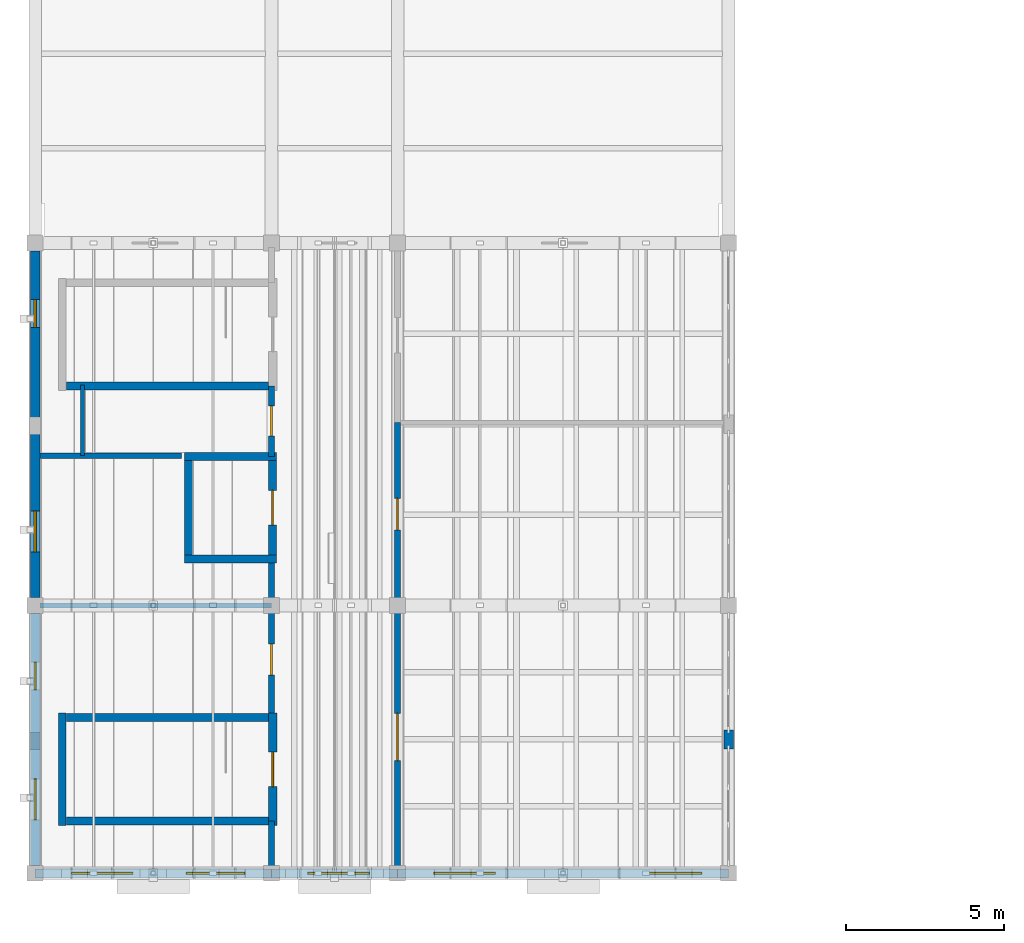
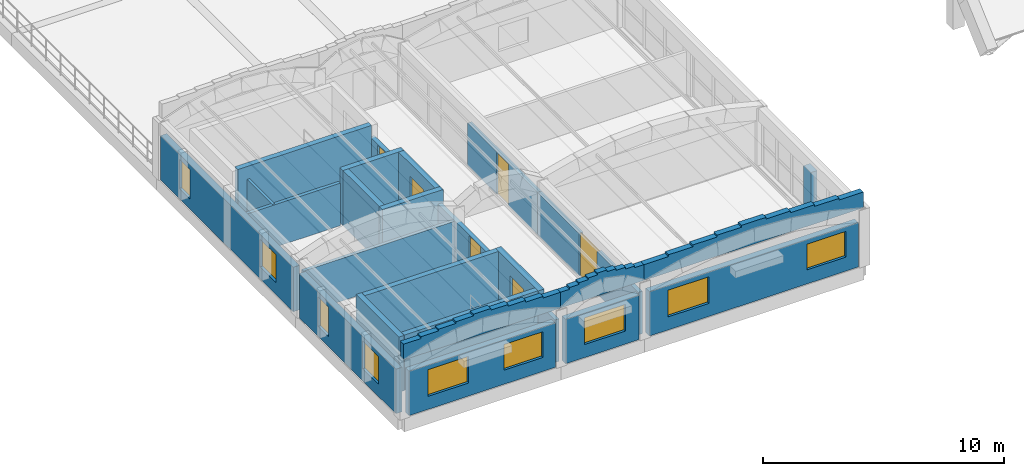
# One storey, part 28 of 40: 26 walls, 9 windows, 6 doors, 15 openings.
"""IFC4 building model written with IfcOpenShell, lengths in metres."""

import ifcopenshell
import ifcopenshell.guid

model = None  # the IFC model being written
_history = None  # IfcOwnerHistory: only IFC2X3 demands one
_inside = {}  # id of a spatial element -> (the spatial element, [elements in it])
_under = {}  # id of a project, library or spatial element -> (it, [spatial elements below it])
_declared = {}  # id of a project -> (the project, [libraries it declares])
_typed = {}  # id of a type object -> (the type object, [elements of that type])
_made_of = {}  # id of a material, layer set ... -> (it, [elements and type objects made of it])


def new_model(schema):
    """Start an empty IFC model of exactly this schema.

    Asked for "IFC4X3", IfcOpenShell would pick the latest addendum, in which some entities
    have other attributes; the version numbers below select the first issue.
    IFC2X3 requires an IfcOwnerHistory on every rooted entity: one is made here for all.
    """
    global model, _history
    if schema == "IFC4X3":
        model = ifcopenshell.file(schema_version=(4, 3, 0, 0))
    else:
        model = ifcopenshell.file(schema=schema)
    _inside.clear()
    _under.clear()
    _declared.clear()
    _typed.clear()
    _made_of.clear()
    _history = None
    if model.schema == "IFC2X3":
        org = make("IfcOrganization", Name="unknown")
        user = make(
            "IfcPersonAndOrganization",
            ThePerson=make("IfcPerson", FamilyName="unknown"),
            TheOrganization=org,
        )
        app = make(
            "IfcApplication",
            ApplicationDeveloper=org,
            Version="unknown",
            ApplicationFullName="unknown",
            ApplicationIdentifier="unknown",
        )
        _history = make(
            "IfcOwnerHistory",
            OwningUser=user,
            OwningApplication=app,
            ChangeAction="ADDED",
            CreationDate=0,
        )
    return model


def make(cls, **values):
    """One entity of the class cls with the attributes given. An attribute that is None is left unset."""
    return model.create_entity(
        cls, **{name: value for name, value in values.items() if value is not None}
    )


def rooted(cls, **values):
    """An entity with a GlobalId (a new one), such as an element, a storey or a relation."""
    return make(cls, GlobalId=ifcopenshell.guid.new(), OwnerHistory=_history, **values)


def si_unit(unit_type, name, prefix=None):
    """IfcSIUnit, for example si_unit("LENGTHUNIT", "METRE", prefix="MILLI")."""
    return make("IfcSIUnit", UnitType=unit_type, Prefix=prefix, Name=name)


def assignment(units):
    """IfcUnitAssignment: the units of a project."""
    return None if units is None else make("IfcUnitAssignment", Units=units)


def point(xyz):
    """IfcCartesianPoint."""
    return None if xyz is None else make("IfcCartesianPoint", Coordinates=xyz)


def direction(xyz):
    """IfcDirection."""
    return None if xyz is None else make("IfcDirection", DirectionRatios=xyz)


def frame(location, z_axis=None, x_axis=None):
    """IfcAxis2Placement3D, a coordinate frame: its origin and axes. An axis left out is left unset."""
    return make(
        "IfcAxis2Placement3D",
        Location=point(location),
        Axis=direction(z_axis),
        RefDirection=direction(x_axis),
    )


def frame_2d(location, x_axis=None):
    """IfcAxis2Placement2D, a coordinate frame in the plane: its origin and x axis."""
    return make(
        "IfcAxis2Placement2D", Location=point(location), RefDirection=direction(x_axis)
    )


def origin():
    """The frame at (0, 0, 0) with its axes left unset."""
    return frame((0.0, 0.0, 0.0))


def place(relative_to, where):
    """IfcLocalPlacement: puts the frame where relative to a parent placement (None: the world)."""
    return make(
        "IfcLocalPlacement", PlacementRelTo=relative_to, RelativePlacement=where
    )


def context(
    kind, dimensions, precision=None, world=None, true_north=None, identifier=None
):
    """IfcGeometricRepresentationContext, for example the 3D "Model" context."""
    return make(
        "IfcGeometricRepresentationContext",
        ContextIdentifier=identifier,
        ContextType=kind,
        CoordinateSpaceDimension=dimensions,
        Precision=precision,
        WorldCoordinateSystem=world,
        TrueNorth=true_north,
    )


def subcontext(parent, identifier, kind, view, scale=None):
    """IfcGeometricRepresentationSubContext, for example "Body" below "Model"."""
    return make(
        "IfcGeometricRepresentationSubContext",
        ContextIdentifier=identifier,
        ContextType=kind,
        ParentContext=parent,
        TargetScale=scale,
        TargetView=view,
    )


def project(units=None, contexts=None):
    """IfcProject with its units and contexts."""
    return rooted(
        "IfcProject",
        Name="project",
        RepresentationContexts=contexts,
        UnitsInContext=assignment(units),
    )


def spatial(cls, under=None, at=None, **own):
    """A site, building, storey or space (cls), placed at a placement, below another one or the project."""
    s = rooted(cls, ObjectPlacement=at, **own)
    if under is not None:
        _under.setdefault(under.id(), (under, []))[1].append(s)
    return s


def polyline(points):
    """IfcPolyline through the points."""
    return make("IfcPolyline", Points=[point(p) for p in points])


def profile(cls, at=None, kind="AREA", **sizes):
    """A parametric profile (cls). Its sizes go by their IFC names, for example OverallWidth=200.0."""
    return make(cls, ProfileType=kind, Position=at, **sizes)


def rectangle(**sizes):
    """IfcRectangleProfileDef."""
    return profile("IfcRectangleProfileDef", **sizes)


def outline(outer, holes=None, kind="AREA"):
    """IfcArbitraryClosedProfileDef: a profile drawn as a closed curve; with holes, ...WithVoids."""
    if holes is None:
        return make("IfcArbitraryClosedProfileDef", ProfileType=kind, OuterCurve=outer)
    return make(
        "IfcArbitraryProfileDefWithVoids",
        ProfileType=kind,
        OuterCurve=outer,
        InnerCurves=holes,
    )


def extrude(swept, where, along, depth):
    """IfcExtrudedAreaSolid: the profile swept, set in the frame where, extruded along a direction by depth."""
    return make(
        "IfcExtrudedAreaSolid",
        SweptArea=swept,
        Position=where,
        ExtrudedDirection=direction(along),
        Depth=depth,
    )


def shape(context_of_items, identifier, shape_type, items):
    """IfcShapeRepresentation: the items that make up one representation, for example the "Body"."""
    return make(
        "IfcShapeRepresentation",
        ContextOfItems=context_of_items,
        RepresentationIdentifier=identifier,
        RepresentationType=shape_type,
        Items=items,
    )


def material(Name=None, Category=None):
    """IfcMaterial."""
    return make("IfcMaterial", Name=Name, Category=Category)


def layer(
    of_material, thickness, ventilated=None, Name=None, Category=None, Priority=None
):
    """IfcMaterialLayer: one layer of a wall or slab, of a material (None: an air gap)."""
    return make(
        "IfcMaterialLayer",
        Material=of_material,
        LayerThickness=thickness,
        IsVentilated=ventilated,
        Name=Name,
        Category=Category,
        Priority=Priority,
    )


def layer_set(layers, Name=None):
    """IfcMaterialLayerSet."""
    return make("IfcMaterialLayerSet", MaterialLayers=layers, LayerSetName=Name)


def made_of(thing, what):
    """Note that an element or type object is made of a material, layer set ...; save() writes the relation."""
    if what is not None:
        _made_of.setdefault(what.id(), (what, []))[1].append(thing)
    return thing


def type_object(cls, material=None, **own):
    """A type object (cls), such as IfcWallType, which elements share."""
    return made_of(rooted(cls, **own), material)


def element(
    cls,
    number,
    at=None,
    inside=None,
    cuts=None,
    type_object=None,
    material=None,
    context=None,
    identifier="Body",
    shape_type=None,
    held_by="IfcProductDefinitionShape",
    body=None,
    shapes=None,
    **own,
):
    """One element of the class cls, such as IfcWall. Its Tag is "e" and its number.

    at: its placement. inside: the storey or other place that contains it. cuts: it is an
    opening in that element (IfcRelVoidsElement). A single representation is given by context,
    identifier, shape_type and body (its items); several are given by shapes. held_by: the class
    of the entity that holds the representations. save() writes the other relations.
    """
    e = rooted(cls, Tag="e%d" % number, ObjectPlacement=at, **own)
    if body is not None:
        shapes = [shape(context, identifier, shape_type, body)]
    if shapes is not None:
        e.Representation = make(held_by, Representations=shapes)
    if inside is not None:
        _inside.setdefault(inside.id(), (inside, []))[1].append(e)
    if cuts is not None:
        rooted(
            "IfcRelVoidsElement", RelatingBuildingElement=cuts, RelatedOpeningElement=e
        )
    if type_object is not None:
        _typed.setdefault(type_object.id(), (type_object, []))[1].append(e)
    return made_of(e, material)


def fill(opening, filler):
    """IfcRelFillsElement: the door or window that sits in an opening."""
    return rooted(
        "IfcRelFillsElement",
        RelatingOpeningElement=opening,
        RelatedBuildingElement=filler,
    )


def aggregate(whole, parts):
    """IfcRelAggregates: a whole, such as a stair, and the parts it consists of."""
    return rooted("IfcRelAggregates", RelatingObject=whole, RelatedObjects=parts)


def save(model, path):
    """Write the relations noted so far, then the file.

    IfcRelAggregates (storeys below a building ...), IfcRelContainedInSpatialStructure (elements
    in a storey), IfcRelDefinesByType, IfcRelAssociatesMaterial and IfcRelDeclares: one each for
    every whole, place, type object, material and project.
    """
    for whole, parts in _under.values():
        aggregate(whole, parts)
    for where, things in _inside.values():
        rooted(
            "IfcRelContainedInSpatialStructure",
            RelatedElements=things,
            RelatingStructure=where,
        )
    for kind, things in _typed.values():
        rooted("IfcRelDefinesByType", RelatedObjects=things, RelatingType=kind)
    for what, things in _made_of.values():
        rooted("IfcRelAssociatesMaterial", RelatedObjects=things, RelatingMaterial=what)
    for by, libraries in _declared.values():
        rooted("IfcRelDeclares", RelatingContext=by, RelatedDefinitions=libraries)
    model.write(path)


model = new_model("IFC4")

# Units and contexts
model_context = context("Model", 3, precision=1e-05, world=origin(), true_north=direction((0.0, 1.0)))
body_context = subcontext(model_context, "Body", "Model", "MODEL_VIEW")
ifc_project = project(units=[si_unit("LENGTHUNIT", "METRE"), si_unit("AREAUNIT", "SQUARE_METRE"), si_unit("VOLUMEUNIT", "CUBIC_METRE"), si_unit("PLANEANGLEUNIT", "RADIAN"), si_unit("MASSUNIT", "GRAM", prefix="KILO")], contexts=[model_context])

# Site, building, storey
site_placement = place(None, origin())
site = spatial("IfcSite", under=ifc_project, at=site_placement, CompositionType="ELEMENT")
building_placement = place(site_placement, origin())
building = spatial("IfcBuilding", under=site, at=building_placement, Name="Trellovar Central Fire Station", CompositionType="ELEMENT")
storey_placement = place(building_placement, frame((0.0, 0.0, 12.75)))
storey = spatial("IfcBuildingStorey", under=building, at=storey_placement, Name="L04", CompositionType="ELEMENT", Elevation=12.75)

# Wall, openings, windows
ifc_material_1 = material(Name="Glazed ceramic trencadis and terracotta panel", Category="masonry")
ifc_layer_1 = layer(ifc_material_1, 0.300048828125)
ifc_layer_set_1 = layer_set([ifc_layer_1], Name="Glazed ceramic trencadis and terracotta panel")
wall_type_1 = type_object("IfcWallType", Name="EW-4", PredefinedType="STANDARD", material=ifc_layer_set_1)
wall_1_placement = place(storey_placement, frame((1.25, 9.0, 0.0), z_axis=(0.0, 0.0, 1.0), x_axis=(1.0, 0.0, 0.0)))
wall_1 = element("IfcWall", 1, at=wall_1_placement, inside=storey, type_object=wall_type_1, Name="V4 L04 south wall 1", PredefinedType="STANDARD", context=body_context, shape_type="SweptSolid", body=[
    extrude(rectangle(XDim=7.0, YDim=0.300048828125, at=frame_2d((3.5, 0.0))), origin(), (0.0, 0.0, 1.0), 2.25),
])
opening_1_placement = place(wall_1_placement, frame((0.89990234375, 0.0, 0.659912109375)))
opening_1 = element("IfcOpeningElement", 2, at=opening_1_placement, cuts=wall_1, Name="Opening W-04", PredefinedType="OPENING", context=body_context, shape_type="SweptSolid", body=[
    extrude(rectangle(XDim=1.949951171875, YDim=1.35009765625, at=frame_2d((0.97509765625, 0.675048828125))), frame((0.0, 0.159912109375, 0.0), z_axis=(0.0, -1.0, 0.0), x_axis=(1.0, 0.0, 0.0)), (0.0, 0.0, 1.0), 0.320068359375),
])
opening_2_placement = place(wall_1_placement, frame((4.550048828125, 0.0, 0.7099609375)))
opening_2 = element("IfcOpeningElement", 3, at=opening_2_placement, cuts=wall_1, Name="Opening W-13", PredefinedType="OPENING", context=body_context, shape_type="SweptSolid", body=[
    extrude(rectangle(XDim=1.85009765625, YDim=1.300048828125, at=frame_2d((0.925048828125, 0.64990234375))), frame((0.0, 0.159912109375, 0.0), z_axis=(0.0, -1.0, 0.0), x_axis=(1.0, 0.0, 0.0)), (0.0, 0.0, 1.0), 0.320068359375),
])
ifc_material_2 = material(Name="Thermally broken bronze anodized aluminum", Category="aluminium")
window_type_1 = type_object("IfcWindowType", Name="WIN-04", PartitioningType="DOUBLE_PANEL_HORIZONTAL", PredefinedType="WINDOW", material=ifc_material_2)
window_1_placement = place(opening_1_placement, origin())
window_1 = element("IfcWindow", 4, at=window_1_placement, inside=storey, type_object=window_type_1, Name="L04 window W-04", OverallHeight=1.35009765625, OverallWidth=1.949951171875, PartitioningType="DOUBLE_PANEL_HORIZONTAL", PredefinedType="WINDOW", context=body_context, shape_type="SweptSolid", body=[
    extrude(rectangle(XDim=1.949951171875, YDim=1.35009765625, at=frame_2d((0.97509765625, 0.675048828125))), frame((0.0, 0.030029296875, 0.0), z_axis=(0.0, -1.0, 0.0), x_axis=(1.0, 0.0, 0.0)), (0.0, 0.0, 1.0), 0.06005859375),
])
fill(opening_1, window_1)
ifc_material_3 = material(Name="Thermally broken bronze anodized aluminum", Category="aluminium")
window_type_2 = type_object("IfcWindowType", Name="WIN-13", PartitioningType="DOUBLE_PANEL_HORIZONTAL", PredefinedType="WINDOW", material=ifc_material_3)
window_2_placement = place(opening_2_placement, origin())
window_2 = element("IfcWindow", 5, at=window_2_placement, inside=storey, type_object=window_type_2, Name="L04 window W-13", OverallHeight=1.300048828125, OverallWidth=1.85009765625, PartitioningType="DOUBLE_PANEL_HORIZONTAL", PredefinedType="WINDOW", context=body_context, shape_type="SweptSolid", body=[
    extrude(rectangle(XDim=1.85009765625, YDim=1.300048828125, at=frame_2d((0.925048828125, 0.64990234375))), frame((0.0, 0.030029296875, 0.0), z_axis=(0.0, -1.0, 0.0), x_axis=(1.0, 0.0, 0.0)), (0.0, 0.0, 1.0), 0.06005859375),
])
fill(opening_2, window_2)

# Wall, opening, window
wall_2_placement = place(storey_placement, frame((8.75, 9.0, 0.0), z_axis=(0.0, 0.0, 1.0), x_axis=(1.0, 0.0, 0.0)))
wall_2 = element("IfcWall", 6, at=wall_2_placement, inside=storey, type_object=wall_type_1, Name="V4 L04 south wall 2", PredefinedType="STANDARD", context=body_context, shape_type="SweptSolid", body=[
    extrude(rectangle(XDim=3.5, YDim=0.300048828125, at=frame_2d((1.75, 0.0))), origin(), (0.0, 0.0, 1.0), 2.25),
])
opening_3_placement = place(wall_2_placement, frame((0.89990234375, 0.0, 0.659912109375)))
opening_3 = element("IfcOpeningElement", 7, at=opening_3_placement, cuts=wall_2, Name="Opening W-04", PredefinedType="OPENING", context=body_context, shape_type="SweptSolid", body=[
    extrude(rectangle(XDim=1.949951171875, YDim=1.35009765625, at=frame_2d((0.97509765625, 0.675048828125))), frame((0.0, 0.159912109375, 0.0), z_axis=(0.0, -1.0, 0.0), x_axis=(1.0, 0.0, 0.0)), (0.0, 0.0, 1.0), 0.320068359375),
])
window_3_placement = place(opening_3_placement, origin())
window_3 = element("IfcWindow", 8, at=window_3_placement, inside=storey, type_object=window_type_1, Name="L04 window W-04", OverallHeight=1.35009765625, OverallWidth=1.949951171875, PartitioningType="DOUBLE_PANEL_HORIZONTAL", PredefinedType="WINDOW", context=body_context, shape_type="SweptSolid", body=[
    extrude(rectangle(XDim=1.949951171875, YDim=1.35009765625, at=frame_2d((0.97509765625, 0.675048828125))), frame((0.0, 0.030029296875, 0.0), z_axis=(0.0, -1.0, 0.0), x_axis=(1.0, 0.0, 0.0)), (0.0, 0.0, 1.0), 0.06005859375),
])
fill(opening_3, window_3)

# Wall, openings, windows
wall_3_placement = place(storey_placement, frame((12.75, 9.0, 0.0), z_axis=(0.0, 0.0, 1.0), x_axis=(1.0, 0.0, 0.0)))
wall_3 = element("IfcWall", 9, at=wall_3_placement, inside=storey, type_object=wall_type_1, Name="V4 L04 south wall 3", PredefinedType="STANDARD", context=body_context, shape_type="SweptSolid", body=[
    extrude(rectangle(XDim=10.0, YDim=0.300048828125, at=frame_2d((5.0, 0.0))), origin(), (0.0, 0.0, 1.0), 2.25),
])
opening_4_placement = place(wall_3_placement, frame((0.89990234375, 0.0, 0.659912109375)))
opening_4 = element("IfcOpeningElement", 10, at=opening_4_placement, cuts=wall_3, Name="Opening W-04", PredefinedType="OPENING", context=body_context, shape_type="SweptSolid", body=[
    extrude(rectangle(XDim=1.949951171875, YDim=1.35009765625, at=frame_2d((0.97509765625, 0.675048828125))), frame((0.0, 0.159912109375, 0.0), z_axis=(0.0, -1.0, 0.0), x_axis=(1.0, 0.0, 0.0)), (0.0, 0.0, 1.0), 0.320068359375),
])
opening_5_placement = place(wall_3_placement, frame((7.550048828125, 0.0, 0.7099609375)))
opening_5 = element("IfcOpeningElement", 11, at=opening_5_placement, cuts=wall_3, Name="Opening W-13", PredefinedType="OPENING", context=body_context, shape_type="SweptSolid", body=[
    extrude(rectangle(XDim=1.85009765625, YDim=1.300048828125, at=frame_2d((0.925048828125, 0.64990234375))), frame((0.0, 0.159912109375, 0.0), z_axis=(0.0, -1.0, 0.0), x_axis=(1.0, 0.0, 0.0)), (0.0, 0.0, 1.0), 0.320068359375),
])
window_4_placement = place(opening_4_placement, origin())
window_4 = element("IfcWindow", 12, at=window_4_placement, inside=storey, type_object=window_type_1, Name="L04 window W-04", OverallHeight=1.35009765625, OverallWidth=1.949951171875, PartitioningType="DOUBLE_PANEL_HORIZONTAL", PredefinedType="WINDOW", context=body_context, shape_type="SweptSolid", body=[
    extrude(rectangle(XDim=1.949951171875, YDim=1.35009765625, at=frame_2d((0.97509765625, 0.675048828125))), frame((0.0, 0.030029296875, 0.0), z_axis=(0.0, -1.0, 0.0), x_axis=(1.0, 0.0, 0.0)), (0.0, 0.0, 1.0), 0.06005859375),
])
fill(opening_4, window_4)
window_5_placement = place(opening_5_placement, origin())
window_5 = element("IfcWindow", 13, at=window_5_placement, inside=storey, type_object=window_type_2, Name="L04 window W-13", OverallHeight=1.300048828125, OverallWidth=1.85009765625, PartitioningType="DOUBLE_PANEL_HORIZONTAL", PredefinedType="WINDOW", context=body_context, shape_type="SweptSolid", body=[
    extrude(rectangle(XDim=1.85009765625, YDim=1.300048828125, at=frame_2d((0.925048828125, 0.64990234375))), frame((0.0, 0.030029296875, 0.0), z_axis=(0.0, -1.0, 0.0), x_axis=(1.0, 0.0, 0.0)), (0.0, 0.0, 1.0), 0.06005859375),
])
fill(opening_5, window_5)

wall_4_placement = place(storey_placement, frame((1.0, 17.25, 0.0), z_axis=(0.0, 0.0, 1.0), x_axis=(0.0, -1.0, 0.0)))
wall_4 = element("IfcWall", 14, at=wall_4_placement, inside=storey, type_object=wall_type_1, Name="V4 L04 west wall", PredefinedType="STANDARD", context=body_context, shape_type="SweptSolid", body=[
    extrude(rectangle(XDim=8.0, YDim=0.300048828125, at=frame_2d((4.0, 0.0))), origin(), (0.0, 0.0, 1.0), 2.25),
])
opening_6_placement = place(wall_4_placement, frame((1.550048828125, 0.0, 0.510009765625)))
opening_6 = element("IfcOpeningElement", 15, at=opening_6_placement, cuts=wall_4, Name="Opening W-07", PredefinedType="OPENING", context=body_context, shape_type="SweptSolid", body=[
    extrude(rectangle(XDim=0.8798828125, YDim=1.5, at=frame_2d((0.43994140625, 0.75))), frame((0.0, 0.159912109375, 0.0), z_axis=(0.0, -1.0, 0.0), x_axis=(1.0, 0.0, 0.0)), (0.0, 0.0, 1.0), 0.320068359375),
])
opening_7_placement = place(wall_4_placement, frame((5.25, 0.0, 0.610107421875)))
opening_7 = element("IfcOpeningElement", 16, at=opening_7_placement, cuts=wall_4, Name="Opening W-09", PredefinedType="OPENING", context=body_context, shape_type="SweptSolid", body=[
    extrude(rectangle(XDim=1.300048828125, YDim=1.39990234375, at=frame_2d((0.64990234375, 0.699951171875))), frame((0.0, 0.159912109375, 0.0), z_axis=(0.0, -1.0, 0.0), x_axis=(1.0, 0.0, 0.0)), (0.0, 0.0, 1.0), 0.320068359375),
])
ifc_material_4 = material(Name="Thermally broken bronze anodized aluminum", Category="aluminium")
window_type_3 = type_object("IfcWindowType", Name="WIN-07", PartitioningType="SINGLE_PANEL", PredefinedType="WINDOW", material=ifc_material_4)
window_6_placement = place(opening_6_placement, origin())
window_6 = element("IfcWindow", 17, at=window_6_placement, inside=storey, type_object=window_type_3, Name="L04 window W-07", OverallHeight=1.5, OverallWidth=0.8798828125, PartitioningType="SINGLE_PANEL", PredefinedType="WINDOW", context=body_context, shape_type="SweptSolid", body=[
    extrude(rectangle(XDim=0.8798828125, YDim=1.5, at=frame_2d((0.43994140625, 0.75))), frame((0.0, 0.030029296875, 0.0), z_axis=(0.0, -1.0, 0.0), x_axis=(1.0, 0.0, 0.0)), (0.0, 0.0, 1.0), 0.06005859375),
])
fill(opening_6, window_6)
ifc_material_5 = material(Name="Thermally broken bronze anodized aluminum", Category="aluminium")
window_type_4 = type_object("IfcWindowType", Name="WIN-09", PartitioningType="SINGLE_PANEL", PredefinedType="WINDOW", material=ifc_material_5)
window_7_placement = place(opening_7_placement, origin())
window_7 = element("IfcWindow", 18, at=window_7_placement, inside=storey, type_object=window_type_4, Name="L04 window W-09", OverallHeight=1.39990234375, OverallWidth=1.300048828125, PartitioningType="SINGLE_PANEL", PredefinedType="WINDOW", context=body_context, shape_type="SweptSolid", body=[
    extrude(rectangle(XDim=1.300048828125, YDim=1.39990234375, at=frame_2d((0.64990234375, 0.699951171875))), frame((0.0, 0.030029296875, 0.0), z_axis=(0.0, -1.0, 0.0), x_axis=(1.0, 0.0, 0.0)), (0.0, 0.0, 1.0), 0.06005859375),
])
fill(opening_7, window_7)

wall_5_placement = place(storey_placement, frame((1.0, 28.75, 0.0), z_axis=(0.0, 0.0, 1.0), x_axis=(0.0, -1.0, 0.0)))
wall_5 = element("IfcWall", 19, at=wall_5_placement, inside=storey, type_object=wall_type_1, Name="V4 L04 west wall", PredefinedType="STANDARD", context=body_context, shape_type="SweptSolid", body=[
    extrude(rectangle(XDim=11.0, YDim=0.300048828125, at=frame_2d((5.5, 0.0))), origin(), (0.0, 0.0, 1.0), 2.25),
])
opening_8_placement = place(wall_5_placement, frame((1.550048828125, 0.0, 0.510009765625)))
opening_8 = element("IfcOpeningElement", 20, at=opening_8_placement, cuts=wall_5, Name="Opening W-07", PredefinedType="OPENING", context=body_context, shape_type="SweptSolid", body=[
    extrude(rectangle(XDim=0.8798828125, YDim=1.5, at=frame_2d((0.43994140625, 0.75))), frame((0.0, 0.159912109375, 0.0), z_axis=(0.0, -1.0, 0.0), x_axis=(1.0, 0.0, 0.0)), (0.0, 0.0, 1.0), 0.320068359375),
])
opening_9_placement = place(wall_5_placement, frame((8.25, 0.0, 0.610107421875)))
opening_9 = element("IfcOpeningElement", 21, at=opening_9_placement, cuts=wall_5, Name="Opening W-09", PredefinedType="OPENING", context=body_context, shape_type="SweptSolid", body=[
    extrude(rectangle(XDim=1.300048828125, YDim=1.39990234375, at=frame_2d((0.64990234375, 0.699951171875))), frame((0.0, 0.159912109375, 0.0), z_axis=(0.0, -1.0, 0.0), x_axis=(1.0, 0.0, 0.0)), (0.0, 0.0, 1.0), 0.320068359375),
])
window_8_placement = place(opening_8_placement, origin())
window_8 = element("IfcWindow", 22, at=window_8_placement, inside=storey, type_object=window_type_3, Name="L04 window W-07", OverallHeight=1.5, OverallWidth=0.8798828125, PartitioningType="SINGLE_PANEL", PredefinedType="WINDOW", context=body_context, shape_type="SweptSolid", body=[
    extrude(rectangle(XDim=0.8798828125, YDim=1.5, at=frame_2d((0.43994140625, 0.75))), frame((0.0, 0.030029296875, 0.0), z_axis=(0.0, -1.0, 0.0), x_axis=(1.0, 0.0, 0.0)), (0.0, 0.0, 1.0), 0.06005859375),
])
fill(opening_8, window_8)
window_9_placement = place(opening_9_placement, origin())
window_9 = element("IfcWindow", 23, at=window_9_placement, inside=storey, type_object=window_type_4, Name="L04 window W-09", OverallHeight=1.39990234375, OverallWidth=1.300048828125, PartitioningType="SINGLE_PANEL", PredefinedType="WINDOW", context=body_context, shape_type="SweptSolid", body=[
    extrude(rectangle(XDim=1.300048828125, YDim=1.39990234375, at=frame_2d((0.64990234375, 0.699951171875))), frame((0.0, 0.030029296875, 0.0), z_axis=(0.0, -1.0, 0.0), x_axis=(1.0, 0.0, 0.0)), (0.0, 0.0, 1.0), 0.06005859375),
])
fill(opening_9, window_9)

# Walls
wall_6_placement = place(storey_placement, frame((23.0, 12.949951171875, 0.0), z_axis=(0.0, 0.0, 1.0), x_axis=(0.0, 1.0, 0.0)))
element("IfcWall", 24, at=wall_6_placement, inside=storey, type_object=wall_type_1, Name="V4 L04 courtyard mullion pier", PredefinedType="STANDARD", context=body_context, shape_type="SweptSolid", body=[
    extrude(rectangle(XDim=0.60009765625, YDim=0.300048828125, at=frame_2d((0.300048828125, 0.0))), origin(), (0.0, 0.0, 1.0), 2.25),
])
ifc_material_6 = material(Name="Catalan polychrome brickwork with insulated cavity", Category="masonry")
ifc_layer_2 = layer(ifc_material_6, 0.280029296875)
ifc_layer_set_2 = layer_set([ifc_layer_2], Name="Catalan polychrome brickwork with insulated cavity")
wall_type_2 = type_object("IfcWallType", Name="PAR-1", PredefinedType="PARAPET", material=ifc_layer_set_2)
wall_7_placement = place(storey_placement, frame((1.0, 9.0, 2.89990234375), z_axis=(0.0, 0.0, 1.0), x_axis=(1.0, 0.0, 0.0)))
element("IfcWall", 25, at=wall_7_placement, inside=storey, type_object=wall_type_2, Name="L04 Catalan stepped parapet", PredefinedType="PARAPET", context=body_context, shape_type="SweptSolid", body=[
    extrude(outline(polyline([(0.0, 0.0), (7.5, 0.0), (7.5, 0.800048828125), (6.667724609375, 0.800048828125), (6.666748046875, 0.8876953125), (5.834228515625, 0.8876953125), (5.833251953125, 0.97509765625), (5.0009765625, 0.97509765625), (5.0, 1.0625), (4.167724609375, 1.0625), (4.166748046875, 1.150146484375), (3.334228515625, 1.150146484375), (3.333251953125, 1.0625), (2.5009765625, 1.0625), (2.5, 0.97509765625), (1.667724609375, 0.97509765625), (1.666748046875, 0.8876953125), (0.834228515625, 0.8876953125), (0.833251953125, 0.800048828125), (0.0, 0.800048828125), (0.0, 0.0)])), frame((0.0, 0.14013671875, 0.0), z_axis=(0.0, -1.0, 0.0), x_axis=(1.0, 0.0, 0.0)), (0.0, 0.0, 1.0), 0.280029296875),
])
wall_8_placement = place(storey_placement, frame((8.5, 9.0, 2.89990234375), z_axis=(0.0, 0.0, 1.0), x_axis=(1.0, 0.0, 0.0)))
element("IfcWall", 26, at=wall_8_placement, inside=storey, type_object=wall_type_2, Name="L04 Catalan stepped parapet", PredefinedType="PARAPET", context=body_context, shape_type="SweptSolid", body=[
    extrude(outline(polyline([(0.0, 0.0), (4.0, 0.0), (4.0, 0.800048828125), (3.556640625, 0.800048828125), (3.5556640625, 0.8876953125), (3.112060546875, 0.8876953125), (3.111083984375, 0.97509765625), (2.667724609375, 0.97509765625), (2.666748046875, 1.0625), (2.22314453125, 1.0625), (2.22216796875, 1.150146484375), (1.77880859375, 1.150146484375), (1.77783203125, 1.0625), (1.334228515625, 1.0625), (1.333251953125, 0.97509765625), (0.889892578125, 0.97509765625), (0.888916015625, 0.8876953125), (0.4453125, 0.8876953125), (0.4443359375, 0.800048828125), (0.0, 0.800048828125), (0.0, 0.0)])), frame((0.0, 0.14013671875, 0.0), z_axis=(0.0, -1.0, 0.0), x_axis=(1.0, 0.0, 0.0)), (0.0, 0.0, 1.0), 0.280029296875),
])
wall_9_placement = place(storey_placement, frame((12.5, 9.0, 2.89990234375), z_axis=(0.0, 0.0, 1.0), x_axis=(1.0, 0.0, 0.0)))
element("IfcWall", 27, at=wall_9_placement, inside=storey, type_object=wall_type_2, Name="L04 Catalan stepped parapet", PredefinedType="PARAPET", context=body_context, shape_type="SweptSolid", body=[
    extrude(outline(polyline([(0.0, 0.0), (10.5, 0.0), (10.5, 0.800048828125), (9.334228515625, 0.800048828125), (9.333251953125, 0.8876953125), (8.167724609375, 0.8876953125), (8.166748046875, 0.97509765625), (7.0009765625, 0.97509765625), (7.0, 1.0625), (5.834228515625, 1.0625), (5.833251953125, 1.150146484375), (4.667724609375, 1.150146484375), (4.666748046875, 1.0625), (3.5009765625, 1.0625), (3.5, 0.97509765625), (2.334228515625, 0.97509765625), (2.333251953125, 0.8876953125), (1.167724609375, 0.8876953125), (1.166748046875, 0.800048828125), (0.0, 0.800048828125), (0.0, 0.0)])), frame((0.0, 0.14013671875, 0.0), z_axis=(0.0, -1.0, 0.0), x_axis=(1.0, 0.0, 0.0)), (0.0, 0.0, 1.0), 0.280029296875),
])
ifc_material_7 = material(Name="Acoustic concrete masonry unit", Category="masonry")
ifc_layer_3 = layer(ifc_material_7, 0.199951171875)
ifc_layer_set_3 = layer_set([ifc_layer_3], Name="Acoustic concrete masonry unit")
wall_type_3 = type_object("IfcWallType", Name="PT-1", PredefinedType="PARTITIONING", material=ifc_layer_set_3)
wall_10_placement = place(storey_placement, frame((8.5, 9.14990234375, 0.0), z_axis=(0.0, 0.0, 1.0), x_axis=(0.0, 1.0, 0.0)))
element("IfcWall", 28, at=wall_10_placement, inside=storey, type_object=wall_type_3, Name="V4 L04 west corridor spine 1", PredefinedType="PARTITIONING", context=body_context, shape_type="SweptSolid", body=[
    extrude(rectangle(XDim=1.510009765625, YDim=0.199951171875, at=frame_2d((0.7548828125, 0.0))), origin(), (0.0, 0.0, 1.0), 2.14990234375),
])

# Wall, opening, door
wall_11_placement = place(storey_placement, frame((8.5, 13.93994140625, 0.0), z_axis=(0.0, 0.0, 1.0), x_axis=(0.0, 1.0, 0.0)))
wall_11 = element("IfcWall", 29, at=wall_11_placement, inside=storey, type_object=wall_type_3, Name="V4 L04 west corridor spine 2", PredefinedType="PARTITIONING", context=body_context, shape_type="SweptSolid", body=[
    extrude(rectangle(XDim=5.030029296875, YDim=0.199951171875, at=frame_2d((2.51513671875, 0.0))), origin(), (0.0, 0.0, 1.0), 2.14990234375),
])
opening_10_placement = place(wall_11_placement, frame((1.35009765625, 0.0, 0.0)))
opening_10 = element("IfcOpeningElement", 30, at=opening_10_placement, cuts=wall_11, Name="Opening ID-7", PredefinedType="OPENING", context=body_context, shape_type="SweptSolid", body=[
    extrude(rectangle(XDim=0.97998046875, YDim=2.1201171875, at=frame_2d((0.489990234375, 1.06005859375))), frame((0.0, 0.10986328125, 0.0), z_axis=(0.0, -1.0, 0.0), x_axis=(1.0, 0.0, 0.0)), (0.0, 0.0, 1.0), 0.219970703125),
])
ifc_material_8 = material(Name="Solid core acoustic white oak veneer", Category="wood")
door_type_1 = type_object("IfcDoorType", Name="DR-INT7", OperationType="SINGLE_SWING_LEFT", PredefinedType="DOOR", material=ifc_material_8)
door_1_placement = place(opening_10_placement, origin())
door_1 = element("IfcDoor", 31, at=door_1_placement, inside=storey, type_object=door_type_1, Name="V4 L04 SW room door", OperationType="SINGLE_SWING_RIGHT", OverallHeight=2.1201171875, OverallWidth=0.97998046875, PredefinedType="DOOR", context=body_context, shape_type="SweptSolid", body=[
    extrude(rectangle(XDim=0.97998046875, YDim=2.1201171875, at=frame_2d((0.489990234375, 1.06005859375))), frame((0.0, 0.02490234375, 0.0), z_axis=(0.0, -1.0, 0.0), x_axis=(1.0, 0.0, 0.0)), (0.0, 0.0, 1.0), 0.050048828125),
])
fill(opening_10, door_1)

wall_12_placement = place(storey_placement, frame((8.5, 22.22998046875, 0.0), z_axis=(0.0, 0.0, 1.0), x_axis=(0.0, 1.0, 0.0)))
wall_12 = element("IfcWall", 32, at=wall_12_placement, inside=storey, type_object=wall_type_3, Name="V4 L04 west corridor spine 3", PredefinedType="PARTITIONING", context=body_context, shape_type="SweptSolid", body=[
    extrude(rectangle(XDim=2.22998046875, YDim=0.199951171875, at=frame_2d((1.114990234375, 0.0))), origin(), (0.0, 0.0, 1.0), 2.14990234375),
])
opening_11_placement = place(wall_12_placement, frame((0.64990234375, 0.0, 0.0)))
opening_11 = element("IfcOpeningElement", 33, at=opening_11_placement, cuts=wall_12, Name="Opening ID-2", PredefinedType="OPENING", context=body_context, shape_type="SweptSolid", body=[
    extrude(rectangle(XDim=0.949951171875, YDim=2.10009765625, at=frame_2d((0.47509765625, 1.050048828125))), frame((0.0, 0.10986328125, 0.0), z_axis=(0.0, -1.0, 0.0), x_axis=(1.0, 0.0, 0.0)), (0.0, 0.0, 1.0), 0.219970703125),
])
ifc_material_9 = material(Name="Solid core acoustic white oak veneer", Category="wood")
door_type_2 = type_object("IfcDoorType", Name="DR-INT2", OperationType="SINGLE_SWING_LEFT", PredefinedType="DOOR", material=ifc_material_9)
door_2_placement = place(opening_11_placement, origin())
door_2 = element("IfcDoor", 34, at=door_2_placement, inside=storey, type_object=door_type_2, Name="V4 L04 mid-west room door", OperationType="SINGLE_SWING_LEFT", OverallHeight=2.10009765625, OverallWidth=0.949951171875, PredefinedType="DOOR", context=body_context, shape_type="SweptSolid", body=[
    extrude(rectangle(XDim=0.949951171875, YDim=2.10009765625, at=frame_2d((0.47509765625, 1.050048828125))), frame((0.0, 0.02490234375, 0.0), z_axis=(0.0, -1.0, 0.0), x_axis=(1.0, 0.0, 0.0)), (0.0, 0.0, 1.0), 0.050048828125),
])
fill(opening_11, door_2)

wall_13_placement = place(storey_placement, frame((12.5, 9.14990234375, 0.0), z_axis=(0.0, 0.0, 1.0), x_axis=(0.0, 1.0, 0.0)))
wall_13 = element("IfcWall", 35, at=wall_13_placement, inside=storey, type_object=wall_type_3, Name="V4 L04 east corridor spine", PredefinedType="PARTITIONING", context=body_context, shape_type="SweptSolid", body=[
    extrude(rectangle(XDim=8.35009765625, YDim=0.199951171875, at=frame_2d((4.175048828125, 0.0))), origin(), (0.0, 0.0, 1.0), 2.14990234375),
])
opening_12_placement = place(wall_13_placement, frame((3.425048828125, 0.0, 0.0)))
opening_12 = element("IfcOpeningElement", 36, at=opening_12_placement, cuts=wall_13, Name="Opening ID-9", PredefinedType="OPENING", context=body_context, shape_type="SweptSolid", body=[
    extrude(rectangle(XDim=1.5, YDim=2.14990234375, at=frame_2d((0.75, 1.074951171875))), frame((0.0, 0.10986328125, 0.0), z_axis=(0.0, -1.0, 0.0), x_axis=(1.0, 0.0, 0.0)), (0.0, 0.0, 1.0), 0.219970703125),
])
ifc_material_10 = material(Name="Solid core acoustic white oak veneer", Category="wood")
door_type_3 = type_object("IfcDoorType", Name="DR-INT9", OperationType="DOUBLE_DOOR_SINGLE_SWING", PredefinedType="DOOR", material=ifc_material_10)
door_3_placement = place(opening_12_placement, origin())
door_3 = element("IfcDoor", 37, at=door_3_placement, inside=storey, type_object=door_type_3, Name="V4 L04 east room door", OperationType="DOUBLE_DOOR_SINGLE_SWING", OverallHeight=2.14990234375, OverallWidth=1.5, PredefinedType="DOOR", context=body_context, shape_type="SweptSolid", body=[
    extrude(rectangle(XDim=1.5, YDim=2.14990234375, at=frame_2d((0.75, 1.074951171875))), frame((0.0, 0.02490234375, 0.0), z_axis=(0.0, -1.0, 0.0), x_axis=(1.0, 0.0, 0.0)), (0.0, 0.0, 1.0), 0.050048828125),
])
fill(opening_12, door_3)

wall_14_placement = place(storey_placement, frame((12.5, 17.5, 0.0), z_axis=(0.0, 0.0, 1.0), x_axis=(0.0, 1.0, 0.0)))
wall_14 = element("IfcWall", 38, at=wall_14_placement, inside=storey, type_object=wall_type_3, Name="V4 L04 east corridor spine", PredefinedType="PARTITIONING", context=body_context, shape_type="SweptSolid", body=[
    extrude(rectangle(XDim=5.800048828125, YDim=0.199951171875, at=frame_2d((2.89990234375, 0.0))), origin(), (0.0, 0.0, 1.0), 2.14990234375),
])
opening_13_placement = place(wall_14_placement, frame((2.39990234375, 0.0, 0.0)))
opening_13 = element("IfcOpeningElement", 39, at=opening_13_placement, cuts=wall_14, Name="Opening ID-1", PredefinedType="OPENING", context=body_context, shape_type="SweptSolid", body=[
    extrude(rectangle(XDim=1.0, YDim=2.1201171875, at=frame_2d((0.5, 1.06005859375))), frame((0.0, 0.10986328125, 0.0), z_axis=(0.0, -1.0, 0.0), x_axis=(1.0, 0.0, 0.0)), (0.0, 0.0, 1.0), 0.219970703125),
])
ifc_material_11 = material(Name="Solid core acoustic white oak veneer", Category="wood")
door_type_4 = type_object("IfcDoorType", Name="DR-INT1", OperationType="SINGLE_SWING_LEFT", PredefinedType="DOOR", material=ifc_material_11)
door_4_placement = place(opening_13_placement, origin())
door_4 = element("IfcDoor", 40, at=door_4_placement, inside=storey, type_object=door_type_4, Name="V4 L04 east room door", OperationType="SINGLE_SWING_RIGHT", OverallHeight=2.1201171875, OverallWidth=1.0, PredefinedType="DOOR", context=body_context, shape_type="SweptSolid", body=[
    extrude(rectangle(XDim=1.0, YDim=2.1201171875, at=frame_2d((0.5, 1.06005859375))), frame((0.0, 0.02490234375, 0.0), z_axis=(0.0, -1.0, 0.0), x_axis=(1.0, 0.0, 0.0)), (0.0, 0.0, 1.0), 0.050048828125),
])
fill(opening_13, door_4)

# Walls
ifc_material_12 = material(Name="Acoustic concrete masonry unit", Category="masonry")
ifc_layer_4 = layer(ifc_material_12, 0.159912109375)
ifc_layer_set_4 = layer_set([ifc_layer_4], Name="Acoustic concrete masonry unit")
wall_type_4 = type_object("IfcWallType", Name="PT-2", PredefinedType="PARTITIONING", material=ifc_layer_set_4)
wall_15_placement = place(storey_placement, frame((1.14990234375, 17.5, 0.0), z_axis=(0.0, 0.0, 1.0), x_axis=(1.0, 0.0, 0.0)))
element("IfcWall", 41, at=wall_15_placement, inside=storey, type_object=wall_type_4, Name="V4 L04 west divider Y=17.5", PredefinedType="PARTITIONING", context=body_context, shape_type="SweptSolid", body=[
    extrude(rectangle(XDim=7.35009765625, YDim=0.159912109375, at=frame_2d((3.675048828125, 0.0))), origin(), (0.0, 0.0, 1.0), 2.14990234375),
])
wall_16_placement = place(storey_placement, frame((1.14990234375, 22.25, 0.0), z_axis=(0.0, 0.0, 1.0), x_axis=(1.0, 0.0, 0.0)))
element("IfcWall", 42, at=wall_16_placement, inside=storey, type_object=wall_type_4, Name="V4 L04 west divider Y=22.2", PredefinedType="PARTITIONING", context=body_context, shape_type="SweptSolid", body=[
    extrude(rectangle(XDim=4.5, YDim=0.159912109375, at=frame_2d((2.25, 0.0))), origin(), (0.0, 0.0, 1.0), 2.14990234375),
])
ifc_material_13 = material(Name="Fire-rated acoustic gypsum stud partition", Category="gypsum")
ifc_layer_5 = layer(ifc_material_13, 0.125)
ifc_layer_set_5 = layer_set([ifc_layer_5], Name="Fire-rated acoustic gypsum stud partition")
wall_type_5 = type_object("IfcWallType", Name="PT-4", PredefinedType="PARTITIONING", material=ifc_layer_set_5)
wall_17_placement = place(storey_placement, frame((2.5, 22.25, 0.0), z_axis=(0.0, 0.0, 1.0), x_axis=(0.0, 1.0, 0.0)))
element("IfcWall", 43, at=wall_17_placement, inside=storey, type_object=wall_type_5, Name="L04 restroom west wall", PredefinedType="PARTITIONING", context=body_context, shape_type="SweptSolid", body=[
    extrude(rectangle(XDim=2.25, YDim=0.125, at=frame_2d((1.125, 0.0))), origin(), (0.0, 0.0, 1.0), 2.14990234375),
])

# Wall, opening, door
ifc_material_14 = material(Name="Concrete C40/50", Category="concrete")
ifc_layer_6 = layer(ifc_material_14, 0.280029296875)
ifc_layer_set_6 = layer_set([ifc_layer_6], Name="Concrete C40/50")
wall_type_6 = type_object("IfcWallType", Name="SW-1", PredefinedType="SHEAR", material=ifc_layer_set_6)
wall_18_placement = place(storey_placement, frame((8.5400390625, 14.080078125, 0.0), z_axis=(0.0, 0.0, 1.0), x_axis=(0.0, -1.0, 0.0)))
wall_18 = element("IfcWall", 44, at=wall_18_placement, inside=storey, type_object=wall_type_6, Name="Stair ST-03 L04 front corridor wall", PredefinedType="SHEAR", context=body_context, shape_type="SweptSolid", body=[
    extrude(rectangle(XDim=3.56005859375, YDim=0.280029296875, at=frame_2d((1.780029296875, 0.0))), origin(), (0.0, 0.0, 1.0), 2.800048828125),
])
opening_14_placement = place(wall_18_placement, frame((1.22998046875, 0.0, 0.0)))
opening_14 = element("IfcOpeningElement", 45, at=opening_14_placement, cuts=wall_18, Name="Opening SD-2", PredefinedType="OPENING", context=body_context, shape_type="SweptSolid", body=[
    extrude(rectangle(XDim=1.10009765625, YDim=2.14990234375, at=frame_2d((0.550048828125, 1.074951171875))), frame((0.0, 0.14990234375, 0.0), z_axis=(0.0, -1.0, 0.0), x_axis=(1.0, 0.0, 0.0)), (0.0, 0.0, 1.0), 0.300048828125),
])
ifc_material_15 = material(Name="Hollow galvanized steel with acoustic core", Category="steel")
door_type_5 = type_object("IfcDoorType", Name="DR-STR2", OperationType="SINGLE_SWING_LEFT", PredefinedType="DOOR", material=ifc_material_15)
door_5_placement = place(opening_14_placement, origin())
door_5 = element("IfcDoor", 46, at=door_5_placement, inside=storey, type_object=door_type_5, Name="Stair ST-03 L04 fire door", OperationType="SINGLE_SWING_RIGHT", OverallHeight=2.14990234375, OverallWidth=1.10009765625, PredefinedType="DOOR", context=body_context, shape_type="SweptSolid", body=[
    extrude(rectangle(XDim=1.10009765625, YDim=2.14990234375, at=frame_2d((0.550048828125, 1.074951171875))), frame((0.0, 0.02490234375, 0.0), z_axis=(0.0, -1.0, 0.0), x_axis=(1.0, 0.0, 0.0)), (0.0, 0.0, 1.0), 0.050048828125),
])
fill(opening_14, door_5)

# Walls
ifc_material_16 = material(Name="Concrete C40/50", Category="concrete")
ifc_layer_7 = layer(ifc_material_16, 0.25)
ifc_layer_set_7 = layer_set([ifc_layer_7], Name="Concrete C40/50")
wall_type_7 = type_object("IfcWallType", Name="SW-2", PredefinedType="SHEAR", material=ifc_layer_set_7)
wall_19_placement = place(storey_placement, frame((1.860107421875, 10.52001953125, 0.0), z_axis=(0.0, 0.0, 1.0), x_axis=(0.0, 1.0, 0.0)))
element("IfcWall", 47, at=wall_19_placement, inside=storey, type_object=wall_type_7, Name="Stair ST-03 L04 rear wall", PredefinedType="SHEAR", context=body_context, shape_type="SweptSolid", body=[
    extrude(rectangle(XDim=3.56005859375, YDim=0.25, at=frame_2d((1.780029296875, 0.0))), origin(), (0.0, 0.0, 1.0), 2.800048828125),
])
for number, where, z_axis, x_axis, name in (
    (48, (8.39990234375, 13.93994140625, 0.0), (0.0, 0.0, 1.0), (-1.0, 0.0, 0.0), "Stair ST-03 L04 left wall"),
    (49, (2.0, 10.659912109375, 0.0), (0.0, 0.0, 1.0), (1.0, 0.0, 0.0), "Stair ST-03 L04 right wall"),
    (50, (2.0, 24.4599609375, 0.0), (0.0, 0.0, 1.0), (1.0, 0.0, 0.0), "Stair ST-04 L04 right wall"),
):
    element("IfcWall", number, at=place(storey_placement, frame(where, z_axis=z_axis, x_axis=x_axis)), inside=storey, type_object=wall_type_7, Name=name, PredefinedType="SHEAR", context=body_context, shape_type="SweptSolid", body=[
        extrude(rectangle(XDim=6.39990234375, YDim=0.25, at=frame_2d((3.199951171875, 0.0))), origin(), (0.0, 0.0, 1.0), 2.800048828125),
    ])
ifc_material_17 = material(Name="Concrete C40/50", Category="concrete")
ifc_layer_8 = layer(ifc_material_17, 0.260009765625)
ifc_layer_set_8 = layer_set([ifc_layer_8], Name="Concrete C40/50")
wall_type_8 = type_object("IfcWallType", Name="SW-4", PredefinedType="SHEAR", material=ifc_layer_set_8)
for number, where, z_axis, x_axis, name in (
    (51, (5.739990234375, 18.969970703125, 0.0), (0.0, 0.0, 1.0), (1.0, 0.0, 0.0), "Lift EL-03 L04 S wall"),
    (52, (8.659912109375, 22.22998046875, 0.0), (0.0, 0.0, 1.0), (-1.0, 0.0, 0.0), "Lift EL-03 L04 N wall"),
):
    element("IfcWall", number, at=place(storey_placement, frame(where, z_axis=z_axis, x_axis=x_axis)), inside=storey, type_object=wall_type_8, Name=name, PredefinedType="SHEAR", context=body_context, shape_type="SweptSolid", body=[
        extrude(rectangle(XDim=2.919921875, YDim=0.260009765625, at=frame_2d((1.4599609375, 0.0))), origin(), (0.0, 0.0, 1.0), 2.800048828125),
    ])
wall_20_placement = place(storey_placement, frame((5.8701171875, 22.10009765625, 0.0), z_axis=(0.0, 0.0, 1.0), x_axis=(0.0, -1.0, 0.0)))
element("IfcWall", 53, at=wall_20_placement, inside=storey, type_object=wall_type_8, Name="Lift EL-03 L04 W wall", PredefinedType="SHEAR", context=body_context, shape_type="SweptSolid", body=[
    extrude(rectangle(XDim=3.0, YDim=0.260009765625, at=frame_2d((1.5, 0.0))), origin(), (0.0, 0.0, 1.0), 2.800048828125),
])

# Wall, opening, door
wall_21_placement = place(storey_placement, frame((8.530029296875, 19.10009765625, 0.0), z_axis=(0.0, 0.0, 1.0), x_axis=(0.0, 1.0, 0.0)))
wall_21 = element("IfcWall", 54, at=wall_21_placement, inside=storey, type_object=wall_type_8, Name="Lift EL-03 L04 E wall", PredefinedType="SHEAR", context=body_context, shape_type="SweptSolid", body=[
    extrude(rectangle(XDim=3.0, YDim=0.260009765625, at=frame_2d((1.5, 0.0))), origin(), (0.0, 0.0, 1.0), 2.800048828125),
])
opening_15_placement = place(wall_21_placement, frame((0.949951171875, 0.0, 0.0)))
opening_15 = element("IfcOpeningElement", 55, at=opening_15_placement, cuts=wall_21, Name="Opening LD-1", PredefinedType="OPENING", context=body_context, shape_type="SweptSolid", body=[
    extrude(rectangle(XDim=1.10009765625, YDim=2.14990234375, at=frame_2d((0.550048828125, 1.074951171875))), frame((0.0, 0.139892578125, 0.0), z_axis=(0.0, -1.0, 0.0), x_axis=(1.0, 0.0, 0.0)), (0.0, 0.0, 1.0), 0.280029296875),
])
ifc_material_18 = material(Name="Brushed stainless steel", Category="steel")
door_type_6 = type_object("IfcDoorType", Name="DR-LFT1", OperationType="SLIDING_TO_LEFT", PredefinedType="DOOR", material=ifc_material_18)
door_6_placement = place(opening_15_placement, origin())
door_6 = element("IfcDoor", 56, at=door_6_placement, inside=storey, type_object=door_type_6, Name="Elevator EL-03 L04 sliding landing door", OperationType="SLIDING_TO_LEFT", OverallHeight=2.14990234375, OverallWidth=1.10009765625, PredefinedType="DOOR", context=body_context, shape_type="SweptSolid", body=[
    extrude(rectangle(XDim=1.10009765625, YDim=2.14990234375, at=frame_2d((0.550048828125, 1.074951171875))), frame((0.0, 0.02490234375, 0.0), z_axis=(0.0, -1.0, 0.0), x_axis=(1.0, 0.0, 0.0)), (0.0, 0.0, 1.0), 0.050048828125),
])
fill(opening_15, door_6)

save(model, "model.ifc")
